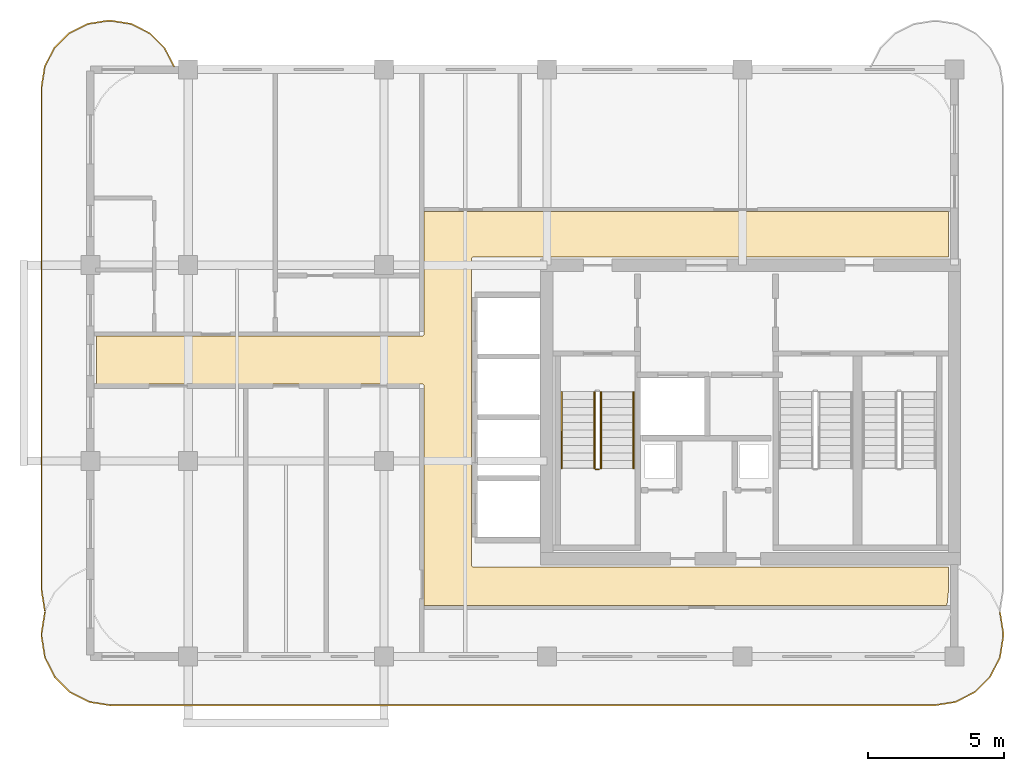
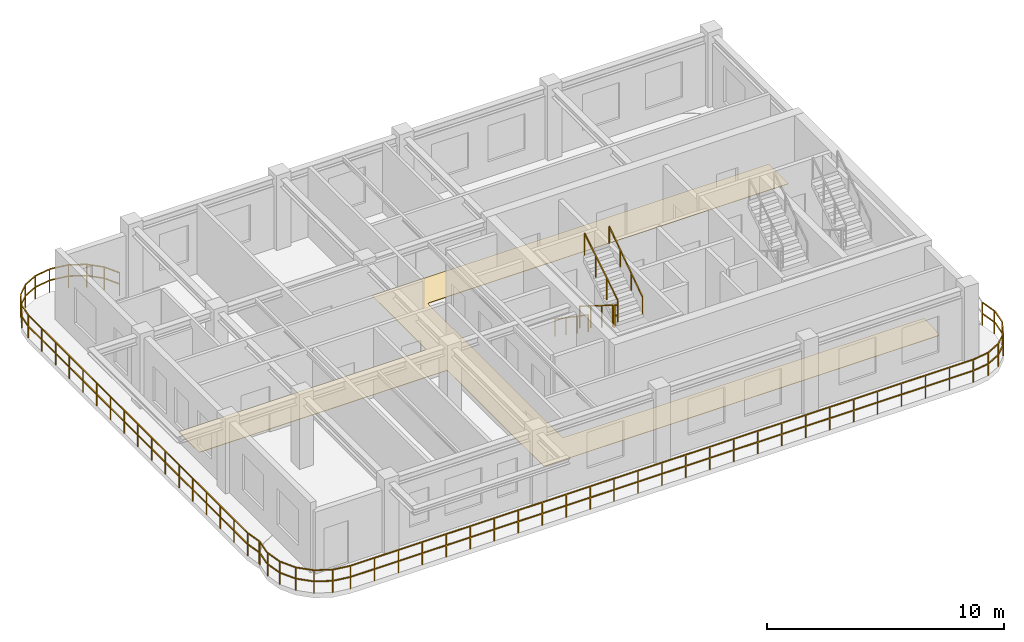
# One storey, part 6 of 7: 7 railings, 1 covering.
"""IFC4 building model written with IfcOpenShell, lengths in metres."""

import ifcopenshell
import ifcopenshell.guid

model = None  # the IFC model being written
_history = None  # IfcOwnerHistory: only IFC2X3 demands one
_inside = {}  # id of a spatial element -> (the spatial element, [elements in it])
_under = {}  # id of a project, library or spatial element -> (it, [spatial elements below it])
_declared = {}  # id of a project -> (the project, [libraries it declares])
_typed = {}  # id of a type object -> (the type object, [elements of that type])
_made_of = {}  # id of a material, layer set ... -> (it, [elements and type objects made of it])


def new_model(schema):
    """Start an empty IFC model of exactly this schema.

    Asked for "IFC4X3", IfcOpenShell would pick the latest addendum, in which some entities
    have other attributes; the version numbers below select the first issue.
    IFC2X3 requires an IfcOwnerHistory on every rooted entity: one is made here for all.
    """
    global model, _history
    if schema == "IFC4X3":
        model = ifcopenshell.file(schema_version=(4, 3, 0, 0))
    else:
        model = ifcopenshell.file(schema=schema)
    _inside.clear()
    _under.clear()
    _declared.clear()
    _typed.clear()
    _made_of.clear()
    _history = None
    if model.schema == "IFC2X3":
        org = make("IfcOrganization", Name="unknown")
        user = make(
            "IfcPersonAndOrganization",
            ThePerson=make("IfcPerson", FamilyName="unknown"),
            TheOrganization=org,
        )
        app = make(
            "IfcApplication",
            ApplicationDeveloper=org,
            Version="unknown",
            ApplicationFullName="unknown",
            ApplicationIdentifier="unknown",
        )
        _history = make(
            "IfcOwnerHistory",
            OwningUser=user,
            OwningApplication=app,
            ChangeAction="ADDED",
            CreationDate=0,
        )
    return model


def make(cls, **values):
    """One entity of the class cls with the attributes given. An attribute that is None is left unset."""
    return model.create_entity(
        cls, **{name: value for name, value in values.items() if value is not None}
    )


def rooted(cls, **values):
    """An entity with a GlobalId (a new one), such as an element, a storey or a relation."""
    return make(cls, GlobalId=ifcopenshell.guid.new(), OwnerHistory=_history, **values)


def si_unit(unit_type, name, prefix=None):
    """IfcSIUnit, for example si_unit("LENGTHUNIT", "METRE", prefix="MILLI")."""
    return make("IfcSIUnit", UnitType=unit_type, Prefix=prefix, Name=name)


def derived_unit(unit_type, elements):
    """IfcDerivedUnit: a product of units, each with its exponent."""
    return make(
        "IfcDerivedUnit",
        Elements=[
            make("IfcDerivedUnitElement", Unit=unit, Exponent=power)
            for unit, power in elements
        ],
        UnitType=unit_type,
    )


def assignment(units):
    """IfcUnitAssignment: the units of a project."""
    return None if units is None else make("IfcUnitAssignment", Units=units)


def point(xyz):
    """IfcCartesianPoint."""
    return None if xyz is None else make("IfcCartesianPoint", Coordinates=xyz)


def direction(xyz):
    """IfcDirection."""
    return None if xyz is None else make("IfcDirection", DirectionRatios=xyz)


def frame(location, z_axis=None, x_axis=None):
    """IfcAxis2Placement3D, a coordinate frame: its origin and axes. An axis left out is left unset."""
    return make(
        "IfcAxis2Placement3D",
        Location=point(location),
        Axis=direction(z_axis),
        RefDirection=direction(x_axis),
    )


def frame_2d(location, x_axis=None):
    """IfcAxis2Placement2D, a coordinate frame in the plane: its origin and x axis."""
    return make(
        "IfcAxis2Placement2D", Location=point(location), RefDirection=direction(x_axis)
    )


def origin():
    """The frame at (0, 0, 0) with its axes left unset."""
    return frame((0.0, 0.0, 0.0))


def origin_2d():
    """The frame at (0, 0) in the plane with its x axis left unset."""
    return frame_2d((0.0, 0.0))


def place(relative_to, where):
    """IfcLocalPlacement: puts the frame where relative to a parent placement (None: the world)."""
    return make(
        "IfcLocalPlacement", PlacementRelTo=relative_to, RelativePlacement=where
    )


def context(
    kind, dimensions, precision=None, world=None, true_north=None, identifier=None
):
    """IfcGeometricRepresentationContext, for example the 3D "Model" context."""
    return make(
        "IfcGeometricRepresentationContext",
        ContextIdentifier=identifier,
        ContextType=kind,
        CoordinateSpaceDimension=dimensions,
        Precision=precision,
        WorldCoordinateSystem=world,
        TrueNorth=true_north,
    )


def subcontext(parent, identifier, kind, view, scale=None):
    """IfcGeometricRepresentationSubContext, for example "Body" below "Model"."""
    return make(
        "IfcGeometricRepresentationSubContext",
        ContextIdentifier=identifier,
        ContextType=kind,
        ParentContext=parent,
        TargetScale=scale,
        TargetView=view,
    )


def project(units=None, contexts=None):
    """IfcProject with its units and contexts."""
    return rooted(
        "IfcProject",
        Name="project",
        RepresentationContexts=contexts,
        UnitsInContext=assignment(units),
    )


def spatial(cls, under=None, at=None, **own):
    """A site, building, storey or space (cls), placed at a placement, below another one or the project."""
    s = rooted(cls, ObjectPlacement=at, **own)
    if under is not None:
        _under.setdefault(under.id(), (under, []))[1].append(s)
    return s


def polyline(points):
    """IfcPolyline through the points."""
    return make("IfcPolyline", Points=[point(p) for p in points])


def profile(cls, at=None, kind="AREA", **sizes):
    """A parametric profile (cls). Its sizes go by their IFC names, for example OverallWidth=200.0."""
    return make(cls, ProfileType=kind, Position=at, **sizes)


def rectangle(**sizes):
    """IfcRectangleProfileDef."""
    return profile("IfcRectangleProfileDef", **sizes)


def outline(outer, holes=None, kind="AREA"):
    """IfcArbitraryClosedProfileDef: a profile drawn as a closed curve; with holes, ...WithVoids."""
    if holes is None:
        return make("IfcArbitraryClosedProfileDef", ProfileType=kind, OuterCurve=outer)
    return make(
        "IfcArbitraryProfileDefWithVoids",
        ProfileType=kind,
        OuterCurve=outer,
        InnerCurves=holes,
    )


def extrude(swept, where, along, depth):
    """IfcExtrudedAreaSolid: the profile swept, set in the frame where, extruded along a direction by depth."""
    return make(
        "IfcExtrudedAreaSolid",
        SweptArea=swept,
        Position=where,
        ExtrudedDirection=direction(along),
        Depth=depth,
    )


def shape(context_of_items, identifier, shape_type, items):
    """IfcShapeRepresentation: the items that make up one representation, for example the "Body"."""
    return make(
        "IfcShapeRepresentation",
        ContextOfItems=context_of_items,
        RepresentationIdentifier=identifier,
        RepresentationType=shape_type,
        Items=items,
    )


def material(Name=None, Category=None):
    """IfcMaterial."""
    return make("IfcMaterial", Name=Name, Category=Category)


def layer(
    of_material, thickness, ventilated=None, Name=None, Category=None, Priority=None
):
    """IfcMaterialLayer: one layer of a wall or slab, of a material (None: an air gap)."""
    return make(
        "IfcMaterialLayer",
        Material=of_material,
        LayerThickness=thickness,
        IsVentilated=ventilated,
        Name=Name,
        Category=Category,
        Priority=Priority,
    )


def layer_set(layers, Name=None):
    """IfcMaterialLayerSet."""
    return make("IfcMaterialLayerSet", MaterialLayers=layers, LayerSetName=Name)


def made_of(thing, what):
    """Note that an element or type object is made of a material, layer set ...; save() writes the relation."""
    if what is not None:
        _made_of.setdefault(what.id(), (what, []))[1].append(thing)
    return thing


def type_object(cls, material=None, **own):
    """A type object (cls), such as IfcWallType, which elements share."""
    return made_of(rooted(cls, **own), material)


def element(
    cls,
    number,
    at=None,
    inside=None,
    cuts=None,
    type_object=None,
    material=None,
    context=None,
    identifier="Body",
    shape_type=None,
    held_by="IfcProductDefinitionShape",
    body=None,
    shapes=None,
    **own,
):
    """One element of the class cls, such as IfcWall. Its Tag is "e" and its number.

    at: its placement. inside: the storey or other place that contains it. cuts: it is an
    opening in that element (IfcRelVoidsElement). A single representation is given by context,
    identifier, shape_type and body (its items); several are given by shapes. held_by: the class
    of the entity that holds the representations. save() writes the other relations.
    """
    e = rooted(cls, Tag="e%d" % number, ObjectPlacement=at, **own)
    if body is not None:
        shapes = [shape(context, identifier, shape_type, body)]
    if shapes is not None:
        e.Representation = make(held_by, Representations=shapes)
    if inside is not None:
        _inside.setdefault(inside.id(), (inside, []))[1].append(e)
    if cuts is not None:
        rooted(
            "IfcRelVoidsElement", RelatingBuildingElement=cuts, RelatedOpeningElement=e
        )
    if type_object is not None:
        _typed.setdefault(type_object.id(), (type_object, []))[1].append(e)
    return made_of(e, material)


def aggregate(whole, parts):
    """IfcRelAggregates: a whole, such as a stair, and the parts it consists of."""
    return rooted("IfcRelAggregates", RelatingObject=whole, RelatedObjects=parts)


def save(model, path):
    """Write the relations noted so far, then the file.

    IfcRelAggregates (storeys below a building ...), IfcRelContainedInSpatialStructure (elements
    in a storey), IfcRelDefinesByType, IfcRelAssociatesMaterial and IfcRelDeclares: one each for
    every whole, place, type object, material and project.
    """
    for whole, parts in _under.values():
        aggregate(whole, parts)
    for where, things in _inside.values():
        rooted(
            "IfcRelContainedInSpatialStructure",
            RelatedElements=things,
            RelatingStructure=where,
        )
    for kind, things in _typed.values():
        rooted("IfcRelDefinesByType", RelatedObjects=things, RelatingType=kind)
    for what, things in _made_of.values():
        rooted("IfcRelAssociatesMaterial", RelatedObjects=things, RelatingMaterial=what)
    for by, libraries in _declared.values():
        rooted("IfcRelDeclares", RelatingContext=by, RelatedDefinitions=libraries)
    model.write(path)


model = new_model("IFC4")

# Units and contexts
model_context = context("Model", 3, precision=1e-05, world=origin(), true_north=direction((0.0, 1.0)))
body_context = subcontext(model_context, "Body", "Model", "MODEL_VIEW")
ifc_project = project(units=[si_unit("LENGTHUNIT", "METRE"), si_unit("AREAUNIT", "SQUARE_METRE"), si_unit("VOLUMEUNIT", "CUBIC_METRE"), si_unit("PLANEANGLEUNIT", "RADIAN"), si_unit("MASSUNIT", "GRAM", prefix="KILO"), si_unit("THERMODYNAMICTEMPERATUREUNIT", "KELVIN"), si_unit("POWERUNIT", "WATT"), derived_unit("THERMALTRANSMITTANCEUNIT", [(si_unit("POWERUNIT", "WATT"), 1), (si_unit("AREAUNIT", "SQUARE_METRE"), -1), (si_unit("THERMODYNAMICTEMPERATUREUNIT", "KELVIN"), -1)])], contexts=[model_context])

# Site, building, storey
site_placement = place(None, origin())
site = spatial("IfcSite", under=ifc_project, at=site_placement, CompositionType="ELEMENT")
building_placement = place(site_placement, origin())
building = spatial("IfcBuilding", under=site, at=building_placement, Name="Zahravan Archway Hotel and Residences", CompositionType="ELEMENT")
storey_placement = place(building_placement, frame((0.0, 0.0, 275.050048828125)))
storey = spatial("IfcBuildingStorey", under=building, at=storey_placement, Name="L69", CompositionType="ELEMENT", Elevation=275.050048828125)

# Covering
ifc_material_1 = material(Name="Engineered Walnut Parquet Flooring")
ifc_layer = layer(ifc_material_1, 0.02197265625, Name="Engineered Walnut Parquet Flooring")
ifc_layer_set = layer_set([ifc_layer], Name="Engineered Walnut Parquet Flooring")
covering_type = type_object("IfcCoveringType", Name="COV-FLR-TIMB", PredefinedType="FLOORING", material=ifc_layer_set)
covering_placement = place(storey_placement, origin())
element("IfcCovering", 1, at=covering_placement, inside=storey, type_object=covering_type, Name="L69 Circulation Floor Finish", PredefinedType="FLOORING", context=body_context, shape_type="SweptSolid", body=[
    extrude(outline(polyline([(30.215576171875, 11.79150390625), (30.256591796875, 11.8134765625), (30.278564453125, 11.8544921875), (30.280029296875, 16.3701171875), (49.580078125, 16.3701171875), (49.580078125, 14.705078125), (32.10009765625, 14.705078125), (32.0556640625, 14.69140625), (32.026123046875, 14.655517578125), (32.02001953125, 3.375), (32.033447265625, 3.33056640625), (32.0693359375, 3.301025390625), (49.580078125, 3.294921875), (49.580078125, 2.410888671875), (49.537109375, 1.974853515625), (49.50830078125, 1.8798828125), (30.280029296875, 1.8798828125), (30.280029296875, 9.949951171875), (30.2666015625, 9.994384765625), (30.230712890625, 10.02392578125), (18.219970703125, 10.030029296875), (18.219970703125, 11.7900390625), (30.199951171875, 11.7900390625), (30.215576171875, 11.79150390625)])), origin(), (0.0, 0.0, 1.0), 0.02197265625),
])

# Railings
ifc_material_2 = material(Name="Bronze & Laminated Glass Balustrade", Category="glass")
railing_type_1 = type_object("IfcRailingType", Name="RL-BAL-1200", PredefinedType="BALUSTRADE", material=ifc_material_2)
railing_1_placement = place(storey_placement, frame((51.47509765625, 1.637939453125, 0.0)))
element("IfcRailing", 2, at=railing_1_placement, inside=storey, type_object=railing_type_1, Name="L69 Balustrade RL-SLB-BAL-L69-SA-1", PredefinedType="BALUSTRADE", context=body_context, shape_type="SweptSolid", body=[
    extrude(rectangle(XDim=0.048095703125, YDim=0.048095703125, at=origin_2d()), frame((0.0, 0.0, 1.17578125), z_axis=(0.156701202656, -0.987646056584, 0.0), x_axis=(0.987646056584, 0.156701202656, 0.0)), (0.0, 0.0, 1.0), 0.797607421875),
    extrude(rectangle(XDim=0.048095703125, YDim=0.048095703125, at=origin_2d()), frame((0.0, 0.0, 0.60009765625), z_axis=(0.156701202656, -0.987646056584, 0.0), x_axis=(0.987646056584, 0.156701202656, 0.0)), (0.0, 0.0, 1.0), 0.797607421875),
    extrude(rectangle(XDim=0.048095703125, YDim=0.048095703125, at=origin_2d()), frame((0.125, -0.787841796875, 1.17578125), z_axis=(0.0, -1.0, 0.0), x_axis=(1.0, 0.0, 0.0)), (0.0, 0.0, 1.0), 0.10009765625),
    extrude(rectangle(XDim=0.048095703125, YDim=0.048095703125, at=origin_2d()), frame((0.125, -0.787841796875, 0.60009765625), z_axis=(0.0, -1.0, 0.0), x_axis=(1.0, 0.0, 0.0)), (0.0, 0.0, 1.0), 0.10009765625),
    extrude(rectangle(XDim=0.048095703125, YDim=0.048095703125, at=origin_2d()), frame((0.125, -0.887939453125, 1.17578125), z_axis=(-0.156653849773, -0.98765356849, 0.0), x_axis=(0.98765356849, -0.156653849773, 0.0)), (0.0, 0.0, 1.0), 0.7978515625),
    extrude(rectangle(XDim=0.048095703125, YDim=0.048095703125, at=origin_2d()), frame((0.125, -0.887939453125, 0.60009765625), z_axis=(-0.156653849773, -0.98765356849, 0.0), x_axis=(0.98765356849, -0.156653849773, 0.0)), (0.0, 0.0, 1.0), 0.7978515625),
    extrude(rectangle(XDim=0.048095703125, YDim=0.048095703125, at=origin_2d()), frame((0.0, -1.676025390625, 1.17578125), z_axis=(-0.453934952053, -0.891034824967, 0.0), x_axis=(0.891034824967, -0.453934952053, 0.0)), (0.0, 0.0, 1.0), 0.797607421875),
    extrude(rectangle(XDim=0.048095703125, YDim=0.048095703125, at=origin_2d()), frame((0.0, -1.676025390625, 0.60009765625), z_axis=(-0.453934952053, -0.891034824967, 0.0), x_axis=(0.891034824967, -0.453934952053, 0.0)), (0.0, 0.0, 1.0), 0.797607421875),
    extrude(rectangle(XDim=0.048095703125, YDim=0.048095703125, at=origin_2d()), frame((-0.362060546875, -2.38671875, 1.17578125), z_axis=(-0.707106781187, -0.707106781187, 0.0), x_axis=(0.707106781187, -0.707106781187, 0.0)), (0.0, 0.0, 1.0), 0.7978515625),
    extrude(rectangle(XDim=0.048095703125, YDim=0.048095703125, at=origin_2d()), frame((-0.362060546875, -2.38671875, 0.60009765625), z_axis=(-0.707106781187, -0.707106781187, 0.0), x_axis=(0.707106781187, -0.707106781187, 0.0)), (0.0, 0.0, 1.0), 0.7978515625),
    extrude(rectangle(XDim=0.048095703125, YDim=0.048095703125, at=origin_2d()), frame((-0.92626953125, -2.950927734375, 1.17578125), z_axis=(-0.890974108706, -0.454054113091, 0.0), x_axis=(0.454054113091, -0.890974108706, 0.0)), (0.0, 0.0, 1.0), 0.7978515625),
    extrude(rectangle(XDim=0.048095703125, YDim=0.048095703125, at=origin_2d()), frame((-0.92626953125, -2.950927734375, 0.60009765625), z_axis=(-0.890974108706, -0.454054113091, 0.0), x_axis=(0.454054113091, -0.890974108706, 0.0)), (0.0, 0.0, 1.0), 0.7978515625),
    extrude(rectangle(XDim=0.048095703125, YDim=0.048095703125, at=origin_2d()), frame((-1.63720703125, -3.313232421875, 1.17578125), z_axis=(-0.987693380745, -0.156402639467, 0.0), x_axis=(0.156402639467, -0.987693380745, 0.0)), (0.0, 0.0, 1.0), 0.797607421875),
    extrude(rectangle(XDim=0.048095703125, YDim=0.048095703125, at=origin_2d()), frame((-1.63720703125, -3.313232421875, 0.60009765625), z_axis=(-0.987693380745, -0.156402639467, 0.0), x_axis=(0.156402639467, -0.987693380745, 0.0)), (0.0, 0.0, 1.0), 0.797607421875),
    extrude(rectangle(XDim=0.048095703125, YDim=0.048095703125, at=origin_2d()), frame((-2.425048828125, -3.43798828125, 1.17578125), z_axis=(-1.0, 0.0, 0.0), x_axis=(0.0, -1.0, 0.0)), (0.0, 0.0, 1.0), 30.300048828125),
    extrude(rectangle(XDim=0.048095703125, YDim=0.048095703125, at=origin_2d()), frame((-2.425048828125, -3.43798828125, 0.60009765625), z_axis=(-1.0, 0.0, 0.0), x_axis=(0.0, -1.0, 0.0)), (0.0, 0.0, 1.0), 30.300048828125),
    extrude(rectangle(XDim=0.048095703125, YDim=0.048095703125, at=origin_2d()), frame((-32.72509765625, -3.43798828125, 1.17578125), z_axis=(-0.987700864412, 0.156355372278, 0.0), x_axis=(-0.156355372278, -0.987700864412, 0.0)), (0.0, 0.0, 1.0), 0.7978515625),
    extrude(rectangle(XDim=0.048095703125, YDim=0.048095703125, at=origin_2d()), frame((-32.72509765625, -3.43798828125, 0.60009765625), z_axis=(-0.987700864412, 0.156355372278, 0.0), x_axis=(-0.156355372278, -0.987700864412, 0.0)), (0.0, 0.0, 1.0), 0.7978515625),
    extrude(rectangle(XDim=0.048095703125, YDim=0.048095703125, at=origin_2d()), frame((-33.51318359375, -3.313232421875, 1.17578125), z_axis=(-0.890911003302, 0.454177921299, 0.0), x_axis=(-0.454177921299, -0.890911003302, 0.0)), (0.0, 0.0, 1.0), 0.797607421875),
    extrude(rectangle(XDim=0.048095703125, YDim=0.048095703125, at=origin_2d()), frame((-33.51318359375, -3.313232421875, 0.60009765625), z_axis=(-0.890911003302, 0.454177921299, 0.0), x_axis=(-0.454177921299, -0.890911003302, 0.0)), (0.0, 0.0, 1.0), 0.797607421875),
    extrude(rectangle(XDim=0.048095703125, YDim=0.048095703125, at=origin_2d()), frame((-34.223876953125, -2.950927734375, 1.17578125), z_axis=(-0.707106781187, 0.707106781187, 0.0), x_axis=(-0.707106781187, -0.707106781187, 0.0)), (0.0, 0.0, 1.0), 0.7978515625),
    extrude(rectangle(XDim=0.048095703125, YDim=0.048095703125, at=origin_2d()), frame((-34.223876953125, -2.950927734375, 0.60009765625), z_axis=(-0.707106781187, 0.707106781187, 0.0), x_axis=(-0.707106781187, -0.707106781187, 0.0)), (0.0, 0.0, 1.0), 0.7978515625),
    extrude(rectangle(XDim=0.048095703125, YDim=0.048095703125, at=origin_2d()), frame((-34.7880859375, -2.38671875, 1.17578125), z_axis=(-0.454177921299, 0.890911003302, 0.0), x_axis=(-0.890911003302, -0.454177921299, 0.0)), (0.0, 0.0, 1.0), 0.797607421875),
    extrude(rectangle(XDim=0.048095703125, YDim=0.048095703125, at=origin_2d()), frame((-34.7880859375, -2.38671875, 0.60009765625), z_axis=(-0.454177921299, 0.890911003302, 0.0), x_axis=(-0.890911003302, -0.454177921299, 0.0)), (0.0, 0.0, 1.0), 0.797607421875),
    extrude(rectangle(XDim=0.048095703125, YDim=0.048095703125, at=origin_2d()), frame((-35.150390625, -1.676025390625, 1.17578125), z_axis=(-0.156355372278, 0.987700864412, 0.0), x_axis=(-0.987700864412, -0.156355372278, 0.0)), (0.0, 0.0, 1.0), 0.7978515625),
    extrude(rectangle(XDim=0.048095703125, YDim=0.048095703125, at=origin_2d()), frame((-35.150390625, -1.676025390625, 0.60009765625), z_axis=(-0.156355372278, 0.987700864412, 0.0), x_axis=(-0.987700864412, -0.156355372278, 0.0)), (0.0, 0.0, 1.0), 0.7978515625),
    extrude(rectangle(XDim=0.048095703125, YDim=0.048095703125, at=origin_2d()), frame((-35.275146484375, -0.887939453125, 1.17578125), z_axis=(0.0, 1.0, 0.0), x_axis=(-1.0, 0.0, 0.0)), (0.0, 0.0, 1.0), 0.10009765625),
    extrude(rectangle(XDim=0.048095703125, YDim=0.048095703125, at=origin_2d()), frame((-35.275146484375, -0.887939453125, 0.60009765625), z_axis=(0.0, 1.0, 0.0), x_axis=(-1.0, 0.0, 0.0)), (0.0, 0.0, 1.0), 0.10009765625),
    extrude(rectangle(XDim=0.048095703125, YDim=0.048095703125, at=origin_2d()), frame((-35.275146484375, -0.787841796875, 1.17578125), z_axis=(0.156402639467, 0.987693380745, 0.0), x_axis=(-0.987693380745, 0.156402639467, 0.0)), (0.0, 0.0, 1.0), 0.797607421875),
    extrude(rectangle(XDim=0.048095703125, YDim=0.048095703125, at=origin_2d()), frame((-35.275146484375, -0.787841796875, 0.60009765625), z_axis=(0.156402639467, 0.987693380745, 0.0), x_axis=(-0.987693380745, 0.156402639467, 0.0)), (0.0, 0.0, 1.0), 0.797607421875),
    extrude(rectangle(XDim=0.0419921875, YDim=0.0419921875, at=origin_2d()), origin(), (0.0, 0.0, 1.0), 1.15185546875),
    extrude(rectangle(XDim=0.0419921875, YDim=0.0419921875, at=origin_2d()), frame((0.125, -0.787841796875, 0.0)), (0.0, 0.0, 1.0), 1.15185546875),
    extrude(rectangle(XDim=0.0419921875, YDim=0.0419921875, at=origin_2d()), frame((0.0, -1.676025390625, 0.0)), (0.0, 0.0, 1.0), 1.15185546875),
    extrude(rectangle(XDim=0.0419921875, YDim=0.0419921875, at=origin_2d()), frame((-0.362060546875, -2.38671875, 0.0)), (0.0, 0.0, 1.0), 1.15185546875),
    extrude(rectangle(XDim=0.0419921875, YDim=0.0419921875, at=origin_2d()), frame((-0.92626953125, -2.950927734375, 0.0)), (0.0, 0.0, 1.0), 1.15185546875),
    extrude(rectangle(XDim=0.0419921875, YDim=0.0419921875, at=origin_2d()), frame((-1.63720703125, -3.313232421875, 0.0)), (0.0, 0.0, 1.0), 1.15185546875),
    extrude(rectangle(XDim=0.0419921875, YDim=0.0419921875, at=origin_2d()), frame((-2.425048828125, -3.43798828125, 0.0)), (0.0, 0.0, 1.0), 1.15185546875),
    extrude(rectangle(XDim=0.0419921875, YDim=0.0419921875, at=origin_2d()), frame((-3.59033203125, -3.43798828125, 0.0)), (0.0, 0.0, 1.0), 1.15185546875),
    extrude(rectangle(XDim=0.0419921875, YDim=0.0419921875, at=origin_2d()), frame((-4.755859375, -3.43798828125, 0.0)), (0.0, 0.0, 1.0), 1.15185546875),
    extrude(rectangle(XDim=0.0419921875, YDim=0.0419921875, at=origin_2d()), frame((-5.921142578125, -3.43798828125, 0.0)), (0.0, 0.0, 1.0), 1.15185546875),
    extrude(rectangle(XDim=0.0419921875, YDim=0.0419921875, at=origin_2d()), frame((-7.086669921875, -3.43798828125, 0.0)), (0.0, 0.0, 1.0), 1.15185546875),
    extrude(rectangle(XDim=0.0419921875, YDim=0.0419921875, at=origin_2d()), frame((-8.251953125, -3.43798828125, 0.0)), (0.0, 0.0, 1.0), 1.15185546875),
    extrude(rectangle(XDim=0.0419921875, YDim=0.0419921875, at=origin_2d()), frame((-9.41748046875, -3.43798828125, 0.0)), (0.0, 0.0, 1.0), 1.15185546875),
    extrude(rectangle(XDim=0.0419921875, YDim=0.0419921875, at=origin_2d()), frame((-10.582763671875, -3.43798828125, 0.0)), (0.0, 0.0, 1.0), 1.15185546875),
    extrude(rectangle(XDim=0.0419921875, YDim=0.0419921875, at=origin_2d()), frame((-11.748046875, -3.43798828125, 0.0)), (0.0, 0.0, 1.0), 1.15185546875),
    extrude(rectangle(XDim=0.0419921875, YDim=0.0419921875, at=origin_2d()), frame((-12.91357421875, -3.43798828125, 0.0)), (0.0, 0.0, 1.0), 1.15185546875),
    extrude(rectangle(XDim=0.0419921875, YDim=0.0419921875, at=origin_2d()), frame((-14.078857421875, -3.43798828125, 0.0)), (0.0, 0.0, 1.0), 1.15185546875),
    extrude(rectangle(XDim=0.0419921875, YDim=0.0419921875, at=origin_2d()), frame((-15.244384765625, -3.43798828125, 0.0)), (0.0, 0.0, 1.0), 1.15185546875),
    extrude(rectangle(XDim=0.0419921875, YDim=0.0419921875, at=origin_2d()), frame((-16.40966796875, -3.43798828125, 0.0)), (0.0, 0.0, 1.0), 1.15185546875),
    extrude(rectangle(XDim=0.0419921875, YDim=0.0419921875, at=origin_2d()), frame((-17.5751953125, -3.43798828125, 0.0)), (0.0, 0.0, 1.0), 1.15185546875),
    extrude(rectangle(XDim=0.0419921875, YDim=0.0419921875, at=origin_2d()), frame((-18.740478515625, -3.43798828125, 0.0)), (0.0, 0.0, 1.0), 1.15185546875),
    extrude(rectangle(XDim=0.0419921875, YDim=0.0419921875, at=origin_2d()), frame((-19.90576171875, -3.43798828125, 0.0)), (0.0, 0.0, 1.0), 1.15185546875),
    extrude(rectangle(XDim=0.0419921875, YDim=0.0419921875, at=origin_2d()), frame((-21.0712890625, -3.43798828125, 0.0)), (0.0, 0.0, 1.0), 1.15185546875),
    extrude(rectangle(XDim=0.0419921875, YDim=0.0419921875, at=origin_2d()), frame((-22.236572265625, -3.43798828125, 0.0)), (0.0, 0.0, 1.0), 1.15185546875),
    extrude(rectangle(XDim=0.0419921875, YDim=0.0419921875, at=origin_2d()), frame((-23.402099609375, -3.43798828125, 0.0)), (0.0, 0.0, 1.0), 1.15185546875),
    extrude(rectangle(XDim=0.0419921875, YDim=0.0419921875, at=origin_2d()), frame((-24.5673828125, -3.43798828125, 0.0)), (0.0, 0.0, 1.0), 1.15185546875),
    extrude(rectangle(XDim=0.0419921875, YDim=0.0419921875, at=origin_2d()), frame((-25.732666015625, -3.43798828125, 0.0)), (0.0, 0.0, 1.0), 1.15185546875),
    extrude(rectangle(XDim=0.0419921875, YDim=0.0419921875, at=origin_2d()), frame((-26.898193359375, -3.43798828125, 0.0)), (0.0, 0.0, 1.0), 1.15185546875),
    extrude(rectangle(XDim=0.0419921875, YDim=0.0419921875, at=origin_2d()), frame((-28.0634765625, -3.43798828125, 0.0)), (0.0, 0.0, 1.0), 1.15185546875),
    extrude(rectangle(XDim=0.0419921875, YDim=0.0419921875, at=origin_2d()), frame((-29.22900390625, -3.43798828125, 0.0)), (0.0, 0.0, 1.0), 1.15185546875),
    extrude(rectangle(XDim=0.0419921875, YDim=0.0419921875, at=origin_2d()), frame((-30.394287109375, -3.43798828125, 0.0)), (0.0, 0.0, 1.0), 1.15185546875),
    extrude(rectangle(XDim=0.0419921875, YDim=0.0419921875, at=origin_2d()), frame((-31.559814453125, -3.43798828125, 0.0)), (0.0, 0.0, 1.0), 1.15185546875),
    extrude(rectangle(XDim=0.0419921875, YDim=0.0419921875, at=origin_2d()), frame((-32.72509765625, -3.43798828125, 0.0)), (0.0, 0.0, 1.0), 1.15185546875),
    extrude(rectangle(XDim=0.0419921875, YDim=0.0419921875, at=origin_2d()), frame((-33.51318359375, -3.313232421875, 0.0)), (0.0, 0.0, 1.0), 1.15185546875),
    extrude(rectangle(XDim=0.0419921875, YDim=0.0419921875, at=origin_2d()), frame((-34.223876953125, -2.950927734375, 0.0)), (0.0, 0.0, 1.0), 1.15185546875),
    extrude(rectangle(XDim=0.0419921875, YDim=0.0419921875, at=origin_2d()), frame((-34.7880859375, -2.38671875, 0.0)), (0.0, 0.0, 1.0), 1.15185546875),
    extrude(rectangle(XDim=0.0419921875, YDim=0.0419921875, at=origin_2d()), frame((-35.150390625, -1.676025390625, 0.0)), (0.0, 0.0, 1.0), 1.15185546875),
    extrude(rectangle(XDim=0.0419921875, YDim=0.0419921875, at=origin_2d()), frame((-35.275146484375, -0.887939453125, 0.0)), (0.0, 0.0, 1.0), 1.15185546875),
    extrude(rectangle(XDim=0.0419921875, YDim=0.0419921875, at=origin_2d()), frame((-35.150390625, 0.0, 0.0)), (0.0, 0.0, 1.0), 1.15185546875),
])
railing_2_placement = place(storey_placement, frame((16.31982421875, 1.69287109375, 0.0)))
element("IfcRailing", 3, at=railing_2_placement, inside=storey, type_object=railing_type_1, Name="L69 Balustrade RL-SLB-BAL-L69-WA-1", PredefinedType="BALUSTRADE", context=body_context, shape_type="SweptSolid", body=[
    extrude(rectangle(XDim=0.048095703125, YDim=0.048095703125, at=origin_2d()), frame((0.0, 0.0, 1.17578125), z_axis=(-0.156387811283, 0.987695728695, 0.0), x_axis=(-0.987695728695, -0.156387811283, 0.0)), (0.0, 0.0, 1.0), 0.7666015625),
    extrude(rectangle(XDim=0.048095703125, YDim=0.048095703125, at=origin_2d()), frame((0.0, 0.0, 0.60009765625), z_axis=(-0.156387811283, 0.987695728695, 0.0), x_axis=(-0.987695728695, -0.156387811283, 0.0)), (0.0, 0.0, 1.0), 0.7666015625),
    extrude(rectangle(XDim=0.048095703125, YDim=0.048095703125, at=origin_2d()), frame((-0.119873046875, 0.757080078125, 1.17578125), z_axis=(0.0, 1.0, 0.0), x_axis=(-1.0, 0.0, 0.0)), (0.0, 0.0, 1.0), 18.5),
    extrude(rectangle(XDim=0.048095703125, YDim=0.048095703125, at=origin_2d()), frame((-0.119873046875, 0.757080078125, 0.60009765625), z_axis=(0.0, 1.0, 0.0), x_axis=(-1.0, 0.0, 0.0)), (0.0, 0.0, 1.0), 18.5),
    extrude(rectangle(XDim=0.048095703125, YDim=0.048095703125, at=origin_2d()), frame((-0.119873046875, 19.257080078125, 1.17578125), z_axis=(0.156387811283, 0.987695728695, 0.0), x_axis=(-0.987695728695, 0.156387811283, 0.0)), (0.0, 0.0, 1.0), 0.7666015625),
    extrude(rectangle(XDim=0.048095703125, YDim=0.048095703125, at=origin_2d()), frame((-0.119873046875, 19.257080078125, 0.60009765625), z_axis=(0.156387811283, 0.987695728695, 0.0), x_axis=(-0.987695728695, 0.156387811283, 0.0)), (0.0, 0.0, 1.0), 0.7666015625),
    extrude(rectangle(XDim=0.048095703125, YDim=0.048095703125, at=origin_2d()), frame((0.0, 20.01416015625, 1.17578125), z_axis=(0.454078418624, 0.890961721815, 0.0), x_axis=(-0.890961721815, 0.454078418624, 0.0)), (0.0, 0.0, 1.0), 0.7666015625),
    extrude(rectangle(XDim=0.048095703125, YDim=0.048095703125, at=origin_2d()), frame((0.0, 20.01416015625, 0.60009765625), z_axis=(0.454078418624, 0.890961721815, 0.0), x_axis=(-0.890961721815, 0.454078418624, 0.0)), (0.0, 0.0, 1.0), 0.7666015625),
    extrude(rectangle(XDim=0.048095703125, YDim=0.048095703125, at=origin_2d()), frame((0.34814453125, 20.697265625, 1.17578125), z_axis=(0.707106781187, 0.707106781187, 0.0), x_axis=(-0.707106781187, 0.707106781187, 0.0)), (0.0, 0.0, 1.0), 0.7666015625),
    extrude(rectangle(XDim=0.048095703125, YDim=0.048095703125, at=origin_2d()), frame((0.34814453125, 20.697265625, 0.60009765625), z_axis=(0.707106781187, 0.707106781187, 0.0), x_axis=(-0.707106781187, 0.707106781187, 0.0)), (0.0, 0.0, 1.0), 0.7666015625),
    extrude(rectangle(XDim=0.048095703125, YDim=0.048095703125, at=origin_2d()), frame((0.89013671875, 21.2392578125, 1.17578125), z_axis=(0.891024909783, 0.453954414172, 0.0), x_axis=(-0.453954414172, 0.891024909783, 0.0)), (0.0, 0.0, 1.0), 0.766357421875),
    extrude(rectangle(XDim=0.048095703125, YDim=0.048095703125, at=origin_2d()), frame((0.89013671875, 21.2392578125, 0.60009765625), z_axis=(0.891024909783, 0.453954414172, 0.0), x_axis=(-0.453954414172, 0.891024909783, 0.0)), (0.0, 0.0, 1.0), 0.766357421875),
    extrude(rectangle(XDim=0.048095703125, YDim=0.048095703125, at=origin_2d()), frame((1.572998046875, 21.587158203125, 1.17578125), z_axis=(0.987695728695, 0.156387811283, 0.0), x_axis=(-0.156387811283, 0.987695728695, 0.0)), (0.0, 0.0, 1.0), 0.7666015625),
    extrude(rectangle(XDim=0.048095703125, YDim=0.048095703125, at=origin_2d()), frame((1.572998046875, 21.587158203125, 0.60009765625), z_axis=(0.987695728695, 0.156387811283, 0.0), x_axis=(-0.156387811283, 0.987695728695, 0.0)), (0.0, 0.0, 1.0), 0.7666015625),
    extrude(rectangle(XDim=0.048095703125, YDim=0.048095703125, at=origin_2d()), frame((2.330078125, 21.70703125, 1.17578125), z_axis=(1.0, 0.0, 0.0), x_axis=(0.0, 1.0, 0.0)), (0.0, 0.0, 1.0), 0.10009765625),
    extrude(rectangle(XDim=0.048095703125, YDim=0.048095703125, at=origin_2d()), frame((2.330078125, 21.70703125, 0.60009765625), z_axis=(1.0, 0.0, 0.0), x_axis=(0.0, 1.0, 0.0)), (0.0, 0.0, 1.0), 0.10009765625),
    extrude(rectangle(XDim=0.048095703125, YDim=0.048095703125, at=origin_2d()), frame((2.43017578125, 21.70703125, 1.17578125), z_axis=(0.987695728695, -0.156387811283, 0.0), x_axis=(0.156387811283, 0.987695728695, 0.0)), (0.0, 0.0, 1.0), 0.7666015625),
    extrude(rectangle(XDim=0.048095703125, YDim=0.048095703125, at=origin_2d()), frame((2.43017578125, 21.70703125, 0.60009765625), z_axis=(0.987695728695, -0.156387811283, 0.0), x_axis=(0.156387811283, 0.987695728695, 0.0)), (0.0, 0.0, 1.0), 0.7666015625),
    extrude(rectangle(XDim=0.048095703125, YDim=0.048095703125, at=origin_2d()), frame((3.187255859375, 21.587158203125, 1.17578125), z_axis=(0.891090529897, -0.453825591531, 0.0), x_axis=(0.453825591531, 0.891090529897, 0.0)), (0.0, 0.0, 1.0), 0.7666015625),
    extrude(rectangle(XDim=0.048095703125, YDim=0.048095703125, at=origin_2d()), frame((3.187255859375, 21.587158203125, 0.60009765625), z_axis=(0.891090529897, -0.453825591531, 0.0), x_axis=(0.453825591531, 0.891090529897, 0.0)), (0.0, 0.0, 1.0), 0.7666015625),
    extrude(rectangle(XDim=0.048095703125, YDim=0.048095703125, at=origin_2d()), frame((3.870361328125, 21.2392578125, 1.17578125), z_axis=(0.707106781187, -0.707106781187, 0.0), x_axis=(0.707106781187, 0.707106781187, 0.0)), (0.0, 0.0, 1.0), 0.7666015625),
    extrude(rectangle(XDim=0.048095703125, YDim=0.048095703125, at=origin_2d()), frame((3.870361328125, 21.2392578125, 0.60009765625), z_axis=(0.707106781187, -0.707106781187, 0.0), x_axis=(0.707106781187, 0.707106781187, 0.0)), (0.0, 0.0, 1.0), 0.7666015625),
    extrude(rectangle(XDim=0.048095703125, YDim=0.048095703125, at=origin_2d()), frame((4.412353515625, 20.697265625, 1.17578125), z_axis=(0.453825591531, -0.891090529897, 0.0), x_axis=(0.891090529897, 0.453825591531, 0.0)), (0.0, 0.0, 1.0), 0.7666015625),
    extrude(rectangle(XDim=0.048095703125, YDim=0.048095703125, at=origin_2d()), frame((4.412353515625, 20.697265625, 0.60009765625), z_axis=(0.453825591531, -0.891090529897, 0.0), x_axis=(0.891090529897, 0.453825591531, 0.0)), (0.0, 0.0, 1.0), 0.7666015625),
    extrude(rectangle(XDim=0.0419921875, YDim=0.0419921875, at=origin_2d()), origin(), (0.0, 0.0, 1.0), 1.15185546875),
    extrude(rectangle(XDim=0.0419921875, YDim=0.0419921875, at=origin_2d()), frame((-0.119873046875, 0.757080078125, 0.0)), (0.0, 0.0, 1.0), 1.15185546875),
    extrude(rectangle(XDim=0.0419921875, YDim=0.0419921875, at=origin_2d()), frame((-0.119873046875, 1.913330078125, 0.0)), (0.0, 0.0, 1.0), 1.15185546875),
    extrude(rectangle(XDim=0.0419921875, YDim=0.0419921875, at=origin_2d()), frame((-0.119873046875, 3.069580078125, 0.0)), (0.0, 0.0, 1.0), 1.15185546875),
    extrude(rectangle(XDim=0.0419921875, YDim=0.0419921875, at=origin_2d()), frame((-0.119873046875, 4.225830078125, 0.0)), (0.0, 0.0, 1.0), 1.15185546875),
    extrude(rectangle(XDim=0.0419921875, YDim=0.0419921875, at=origin_2d()), frame((-0.119873046875, 5.382080078125, 0.0)), (0.0, 0.0, 1.0), 1.15185546875),
    extrude(rectangle(XDim=0.0419921875, YDim=0.0419921875, at=origin_2d()), frame((-0.119873046875, 6.538330078125, 0.0)), (0.0, 0.0, 1.0), 1.15185546875),
    extrude(rectangle(XDim=0.0419921875, YDim=0.0419921875, at=origin_2d()), frame((-0.119873046875, 7.694580078125, 0.0)), (0.0, 0.0, 1.0), 1.15185546875),
    extrude(rectangle(XDim=0.0419921875, YDim=0.0419921875, at=origin_2d()), frame((-0.119873046875, 8.850830078125, 0.0)), (0.0, 0.0, 1.0), 1.15185546875),
    extrude(rectangle(XDim=0.0419921875, YDim=0.0419921875, at=origin_2d()), frame((-0.119873046875, 10.007080078125, 0.0)), (0.0, 0.0, 1.0), 1.15185546875),
    extrude(rectangle(XDim=0.0419921875, YDim=0.0419921875, at=origin_2d()), frame((-0.119873046875, 11.163330078125, 0.0)), (0.0, 0.0, 1.0), 1.15185546875),
    extrude(rectangle(XDim=0.0419921875, YDim=0.0419921875, at=origin_2d()), frame((-0.119873046875, 12.319580078125, 0.0)), (0.0, 0.0, 1.0), 1.15185546875),
    extrude(rectangle(XDim=0.0419921875, YDim=0.0419921875, at=origin_2d()), frame((-0.119873046875, 13.475830078125, 0.0)), (0.0, 0.0, 1.0), 1.15185546875),
    extrude(rectangle(XDim=0.0419921875, YDim=0.0419921875, at=origin_2d()), frame((-0.119873046875, 14.632080078125, 0.0)), (0.0, 0.0, 1.0), 1.15185546875),
    extrude(rectangle(XDim=0.0419921875, YDim=0.0419921875, at=origin_2d()), frame((-0.119873046875, 15.788330078125, 0.0)), (0.0, 0.0, 1.0), 1.15185546875),
    extrude(rectangle(XDim=0.0419921875, YDim=0.0419921875, at=origin_2d()), frame((-0.119873046875, 16.944580078125, 0.0)), (0.0, 0.0, 1.0), 1.15185546875),
    extrude(rectangle(XDim=0.0419921875, YDim=0.0419921875, at=origin_2d()), frame((-0.119873046875, 18.100830078125, 0.0)), (0.0, 0.0, 1.0), 1.15185546875),
    extrude(rectangle(XDim=0.0419921875, YDim=0.0419921875, at=origin_2d()), frame((-0.119873046875, 19.257080078125, 0.0)), (0.0, 0.0, 1.0), 1.15185546875),
    extrude(rectangle(XDim=0.0419921875, YDim=0.0419921875, at=origin_2d()), frame((0.0, 20.01416015625, 0.0)), (0.0, 0.0, 1.0), 1.15185546875),
    extrude(rectangle(XDim=0.0419921875, YDim=0.0419921875, at=origin_2d()), frame((0.34814453125, 20.697265625, 0.0)), (0.0, 0.0, 1.0), 1.15185546875),
    extrude(rectangle(XDim=0.0419921875, YDim=0.0419921875, at=origin_2d()), frame((0.89013671875, 21.2392578125, 0.0)), (0.0, 0.0, 1.0), 1.15185546875),
    extrude(rectangle(XDim=0.0419921875, YDim=0.0419921875, at=origin_2d()), frame((1.572998046875, 21.587158203125, 0.0)), (0.0, 0.0, 1.0), 1.15185546875),
    extrude(rectangle(XDim=0.0419921875, YDim=0.0419921875, at=origin_2d()), frame((2.330078125, 21.70703125, 0.0)), (0.0, 0.0, 1.0), 1.15185546875),
    extrude(rectangle(XDim=0.0419921875, YDim=0.0419921875, at=origin_2d()), frame((3.187255859375, 21.587158203125, 0.0)), (0.0, 0.0, 1.0), 1.15185546875),
    extrude(rectangle(XDim=0.0419921875, YDim=0.0419921875, at=origin_2d()), frame((3.870361328125, 21.2392578125, 0.0)), (0.0, 0.0, 1.0), 1.15185546875),
    extrude(rectangle(XDim=0.0419921875, YDim=0.0419921875, at=origin_2d()), frame((4.412353515625, 20.697265625, 0.0)), (0.0, 0.0, 1.0), 1.15185546875),
    extrude(rectangle(XDim=0.0419921875, YDim=0.0419921875, at=origin_2d()), frame((4.76025390625, 20.01416015625, 0.0)), (0.0, 0.0, 1.0), 1.15185546875),
])
ifc_material_3 = material(Name="Painted Tubular Steel", Category="steel")
railing_type_2 = type_object("IfcRailingType", Name="RL-STG-1150", PredefinedType="GUARDRAIL", material=ifc_material_3)
railing_3_placement = place(storey_placement, frame((36.550048828125, 9.72998046875, 0.175048828125)))
element("IfcRailing", 4, at=railing_3_placement, inside=storey, type_object=railing_type_2, Name="L69 ST-A1 stair guard 1", PredefinedType="GUARDRAIL", context=body_context, shape_type="SweptSolid", body=[
    extrude(rectangle(XDim=0.048095703125, YDim=0.048095703125, at=origin_2d()), frame((0.0, 0.0, 1.1259765625), z_axis=(0.0, -0.848002457836, 0.529992293815), x_axis=(1.0, 0.0, 0.0)), (0.0, 0.0, 1.0), 3.302001953125),
    extrude(rectangle(XDim=0.0419921875, YDim=0.0419921875, at=origin_2d()), origin(), (0.0, 0.0, 1.0), 1.101806640625),
    extrude(rectangle(XDim=0.0419921875, YDim=0.0419921875, at=origin_2d()), frame((0.0, -0.933349609375, 0.583251953125)), (0.0, 0.0, 1.0), 1.101806640625),
    extrude(rectangle(XDim=0.0419921875, YDim=0.0419921875, at=origin_2d()), frame((0.0, -1.86669921875, 1.166748046875)), (0.0, 0.0, 1.0), 1.101806640625),
    extrude(rectangle(XDim=0.0419921875, YDim=0.0419921875, at=origin_2d()), frame((0.0, -2.800048828125, 1.75)), (0.0, 0.0, 1.0), 1.101806640625),
])
railing_4_placement = place(storey_placement, frame((36.60009765625, 6.8798828125, 1.925048828125)))
element("IfcRailing", 5, at=railing_4_placement, inside=storey, type_object=railing_type_2, Name="L69 ST-A1 stair guard 2", PredefinedType="GUARDRAIL", context=body_context, shape_type="SweptSolid", body=[
    extrude(rectangle(XDim=0.048095703125, YDim=0.048095703125, at=origin_2d()), frame((0.0, 0.0, 1.1259765625), z_axis=(1.0, 0.0, 0.0), x_axis=(0.0, 1.0, 0.0)), (0.0, 0.0, 1.0), 0.139892578125),
    extrude(rectangle(XDim=0.048095703125, YDim=0.048095703125, at=origin_2d()), frame((0.0, 0.0, 0.574951171875), z_axis=(1.0, 0.0, 0.0), x_axis=(0.0, 1.0, 0.0)), (0.0, 0.0, 1.0), 0.139892578125),
    extrude(rectangle(XDim=0.0419921875, YDim=0.0419921875, at=origin_2d()), origin(), (0.0, 0.0, 1.0), 1.101806640625),
])
railing_5_placement = place(storey_placement, frame((36.7900390625, 6.929931640625, 2.099853515625)))
element("IfcRailing", 6, at=railing_5_placement, inside=storey, type_object=railing_type_2, Name="L69 ST-A1 stair guard 3", PredefinedType="GUARDRAIL", context=body_context, shape_type="SweptSolid", body=[
    extrude(rectangle(XDim=0.048095703125, YDim=0.048095703125, at=origin_2d()), frame((0.0, 0.0, 1.1259765625), z_axis=(0.0, 0.848002457836, 0.529992293815), x_axis=(-1.0, 0.0, 0.0)), (0.0, 0.0, 1.0), 3.302001953125),
    extrude(rectangle(XDim=0.0419921875, YDim=0.0419921875, at=origin_2d()), origin(), (0.0, 0.0, 1.0), 1.101806640625),
    extrude(rectangle(XDim=0.0419921875, YDim=0.0419921875, at=origin_2d()), frame((0.0, 0.933349609375, 0.583251953125)), (0.0, 0.0, 1.0), 1.101806640625),
    extrude(rectangle(XDim=0.0419921875, YDim=0.0419921875, at=origin_2d()), frame((0.0, 1.86669921875, 1.166748046875)), (0.0, 0.0, 1.0), 1.101806640625),
    extrude(rectangle(XDim=0.0419921875, YDim=0.0419921875, at=origin_2d()), frame((0.0, 2.800048828125, 1.75)), (0.0, 0.0, 1.0), 1.101806640625),
])
ifc_material_4 = material(Name="Brushed Stainless Steel", Category="steel")
railing_type_3 = type_object("IfcRailingType", Name="RL-STH-900", PredefinedType="HANDRAIL", material=ifc_material_4)
railing_6_placement = place(storey_placement, frame((35.35009765625, 9.72998046875, 0.175048828125)))
element("IfcRailing", 7, at=railing_6_placement, inside=storey, type_object=railing_type_3, Name="L69 ST-A1 stair handrail 1", PredefinedType="HANDRAIL", context=body_context, shape_type="SweptSolid", body=[
    extrude(rectangle(XDim=0.048095703125, YDim=0.048095703125, at=origin_2d()), frame((0.0, 0.0, 0.8759765625), z_axis=(0.0, -0.824073370198, 0.566483080534), x_axis=(1.0, 0.0, 0.0)), (0.0, 0.0, 1.0), 3.397705078125),
    extrude(rectangle(XDim=0.0419921875, YDim=0.0419921875, at=origin_2d()), origin(), (0.0, 0.0, 1.0), 0.851806640625),
    extrude(rectangle(XDim=0.0419921875, YDim=0.0419921875, at=origin_2d()), frame((0.0, -0.933349609375, 0.6416015625)), (0.0, 0.0, 1.0), 0.851806640625),
    extrude(rectangle(XDim=0.0419921875, YDim=0.0419921875, at=origin_2d()), frame((0.0, -1.86669921875, 1.283203125)), (0.0, 0.0, 1.0), 0.851806640625),
    extrude(rectangle(XDim=0.0419921875, YDim=0.0419921875, at=origin_2d()), frame((0.0, -2.800048828125, 1.9248046875)), (0.0, 0.0, 1.0), 0.851806640625),
])
railing_7_placement = place(storey_placement, frame((37.989990234375, 6.929931640625, 2.099853515625)))
element("IfcRailing", 8, at=railing_7_placement, inside=storey, type_object=railing_type_3, Name="L69 ST-A1 stair handrail 2", PredefinedType="HANDRAIL", context=body_context, shape_type="SweptSolid", body=[
    extrude(rectangle(XDim=0.048095703125, YDim=0.048095703125, at=origin_2d()), frame((0.0, 0.0, 0.8759765625), z_axis=(0.0, 0.824039827795, 0.566531872191), x_axis=(-1.0, 0.0, 0.0)), (0.0, 0.0, 1.0), 3.39794921875),
    extrude(rectangle(XDim=0.0419921875, YDim=0.0419921875, at=origin_2d()), origin(), (0.0, 0.0, 1.0), 0.851806640625),
    extrude(rectangle(XDim=0.0419921875, YDim=0.0419921875, at=origin_2d()), frame((0.0, 0.933349609375, 0.6416015625)), (0.0, 0.0, 1.0), 0.851806640625),
    extrude(rectangle(XDim=0.0419921875, YDim=0.0419921875, at=origin_2d()), frame((0.0, 1.86669921875, 1.283447265625)), (0.0, 0.0, 1.0), 0.851806640625),
    extrude(rectangle(XDim=0.0419921875, YDim=0.0419921875, at=origin_2d()), frame((0.0, 2.800048828125, 1.925048828125)), (0.0, 0.0, 1.0), 0.851806640625),
])

save(model, "model.ifc")
